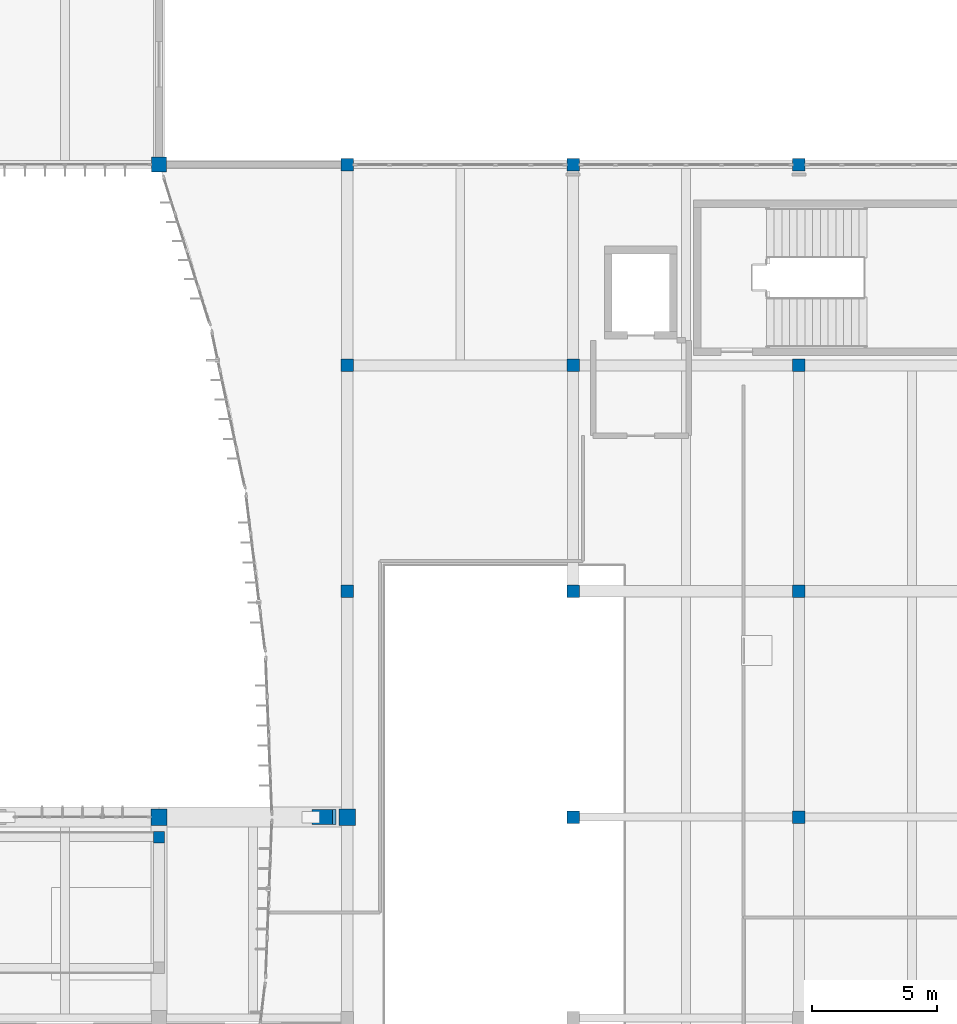
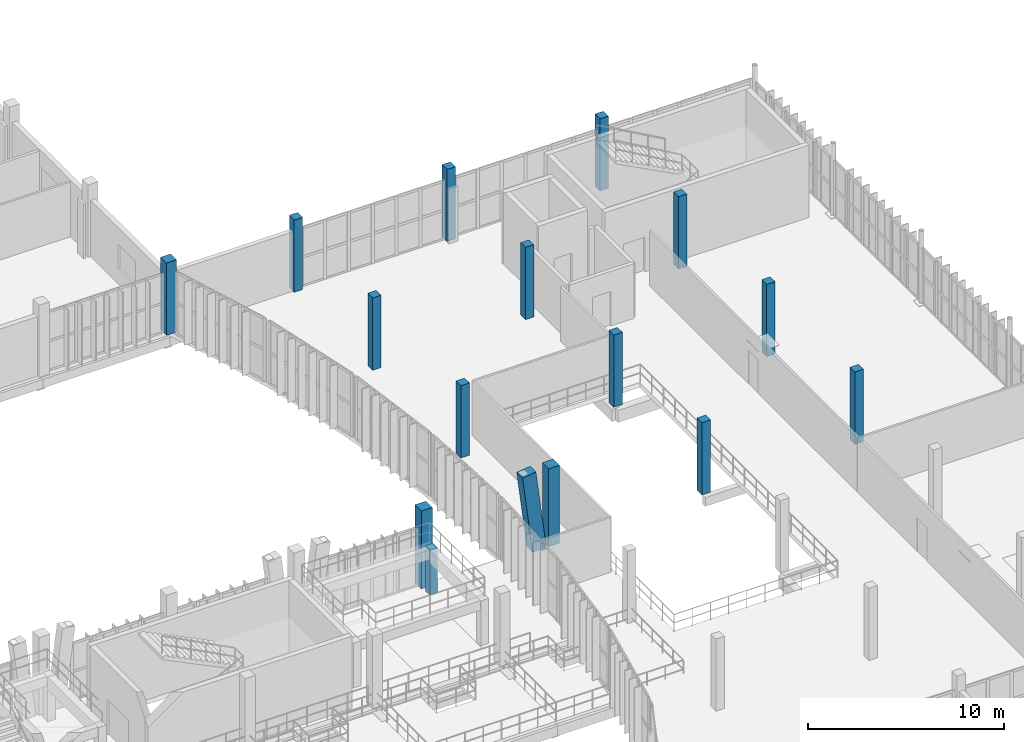
# One storey, part 5 of 81: 16 columns.
"""IFC4 building model written with IfcOpenShell, lengths in metres."""

from ifc_helpers import new_model, si_unit, direction, frame, origin, origin_2d, place, context, subcontext, project, spatial, rectangle, extrude, material, material_profile, profile_set, type_object, element, save


model = new_model("IFC4")

# Units and contexts
model_context = context("Model", 3, precision=1e-05, world=origin(), true_north=direction((0.0, 1.0)))
body_context = subcontext(model_context, "Body", "Model", "MODEL_VIEW")
ifc_project = project(units=[si_unit("LENGTHUNIT", "METRE"), si_unit("AREAUNIT", "SQUARE_METRE"), si_unit("VOLUMEUNIT", "CUBIC_METRE"), si_unit("PLANEANGLEUNIT", "RADIAN"), si_unit("MASSUNIT", "GRAM", prefix="KILO")], contexts=[model_context])

# Site, building, storey
site_placement = place(None, origin())
site = spatial("IfcSite", under=ifc_project, at=site_placement, CompositionType="ELEMENT")
building_placement = place(site_placement, origin())
building = spatial("IfcBuilding", under=site, at=building_placement, Name="Vourika Railside Aquatics Centre", CompositionType="ELEMENT")
storey_placement = place(building_placement, frame((0.0, 0.0, 4.800048828125)))
storey = spatial("IfcBuildingStorey", under=building, at=storey_placement, Name="L01", CompositionType="ELEMENT", Elevation=4.800048828125)

# Columns
ifc_material_1 = material(Name="Concrete C40/50", Category="concrete")
ifc_material_profile_1 = material_profile(ifc_material_1, rectangle(XDim=0.60009765625, YDim=0.800048828125, at=origin_2d()), Name="RC 600x800")
ifc_profile_set_1 = profile_set([ifc_material_profile_1], Name="Concrete C40/50")
column_type_1 = type_object("IfcColumnType", Name="COL-PIER-V", PredefinedType="USERDEFINED", material=ifc_profile_set_1)
column_1_placement = place(storey_placement, frame((140.14990234375, 66.0, 0.0), z_axis=(-0.122749528587, 0.0, 0.992437682291), x_axis=(0.0, -1.0, 0.0)))
element("IfcColumn", 1, at=column_1_placement, inside=storey, type_object=column_type_1, Name="V-Splayed Vault Pier 141/66-W", ObjectType="SPLAYED PIER", PredefinedType="USERDEFINED", context=body_context, shape_type="SweptSolid", body=[
    extrude(rectangle(XDim=0.60009765625, YDim=0.800048828125, at=origin_2d()), origin(), (0.0, 0.0, 1.0), 4.88671875),
])
ifc_material_2 = material(Name="Concrete C35/45", Category="concrete")
ifc_material_profile_2 = material_profile(ifc_material_2, rectangle(XDim=0.449951171875, YDim=0.449951171875, at=origin_2d()), Name="RC 450x450")
ifc_profile_set_2 = profile_set([ifc_material_profile_2], Name="Concrete C35/45")
column_type_2 = type_object("IfcColumnType", Name="COL-RC450", PredefinedType="COLUMN", material=ifc_profile_set_2)
column_2_placement = place(storey_placement, frame((133.5, 65.199951171875, 0.0), z_axis=(0.0, 0.0, 1.0), x_axis=(1.0, 0.0, 0.0)))
element("IfcColumn", 2, at=column_2_placement, inside=storey, type_object=column_type_2, Name="Upper Stand Rear Column 133.5", PredefinedType="COLUMN", context=body_context, shape_type="SweptSolid", body=[
    extrude(rectangle(XDim=0.449951171875, YDim=0.449951171875, at=origin_2d()), origin(), (0.0, 0.0, 1.0), 2.804931640625),
])
ifc_material_profile_3 = material_profile(ifc_material_2, rectangle(XDim=0.5, YDim=0.5, at=origin_2d()), Name="RC 500x500")
ifc_profile_set_3 = profile_set([ifc_material_profile_3], Name="Concrete C35/45")
column_type_3 = type_object("IfcColumnType", Name="COL-RC500", PredefinedType="COLUMN", material=ifc_profile_set_3)
for number, where, z_axis, x_axis, name in (
    (3, (141.0, 75.0, 0.0), (0.0, 0.0, 1.0), (1.0, 0.0, 0.0), "Column col:L01:1410_750"),
    (4, (141.0, 84.0, 0.0), (0.0, 0.0, 1.0), (1.0, 0.0, 0.0), "Column col:L01:1410_840"),
    (5, (141.0, 92.0, 0.0), (0.0, 0.0, 1.0), (1.0, 0.0, 0.0), "Column col:L01:1410_920"),
    (6, (150.0, 66.0, 0.0), (0.0, 0.0, 1.0), (1.0, 0.0, 0.0), "Column col:L01:1500_660"),
    (7, (150.0, 75.0, 0.0), (0.0, 0.0, 1.0), (1.0, 0.0, 0.0), "Column col:L01:1500_750"),
    (8, (150.0, 84.0, 0.0), (0.0, 0.0, 1.0), (1.0, 0.0, 0.0), "Column col:L01:1500_840"),
    (9, (150.0, 92.0, 0.0), (0.0, 0.0, 1.0), (1.0, 0.0, 0.0), "Column col:L01:1500_920"),
    (10, (159.0, 66.0, 0.0), (0.0, 0.0, 1.0), (1.0, 0.0, 0.0), "Column col:L01:1590_660"),
    (11, (159.0, 75.0, 0.0), (0.0, 0.0, 1.0), (1.0, 0.0, 0.0), "Column col:L01:1590_750"),
    (12, (159.0, 84.0, 0.0), (0.0, 0.0, 1.0), (1.0, 0.0, 0.0), "Column col:L01:1590_840"),
    (13, (159.0, 92.0, 0.0), (0.0, 0.0, 1.0), (1.0, 0.0, 0.0), "Column col:L01:1590_920"),
):
    element("IfcColumn", number, at=place(storey_placement, frame(where, z_axis=z_axis, x_axis=x_axis)), inside=storey, type_object=column_type_3, Name=name, PredefinedType="COLUMN", context=body_context, shape_type="SweptSolid", body=[
        extrude(rectangle(XDim=0.5, YDim=0.5, at=origin_2d()), origin(), (0.0, 0.0, 1.0), 4.5),
    ])
ifc_material_profile_4 = material_profile(ifc_material_1, rectangle(XDim=0.60009765625, YDim=0.60009765625, at=origin_2d()), Name="RC 600x600")
ifc_profile_set_4 = profile_set([ifc_material_profile_4], Name="Concrete C40/50")
column_type_4 = type_object("IfcColumnType", Name="COL-RC600", PredefinedType="COLUMN", material=ifc_profile_set_4)
column_3_placement = place(storey_placement, frame((133.5, 92.0, 0.0), z_axis=(0.0, 0.0, 1.0), x_axis=(1.0, 0.0, 0.0)))
element("IfcColumn", 14, at=column_3_placement, inside=storey, type_object=column_type_4, Name="Column col:L01:1335_920", PredefinedType="COLUMN", context=body_context, shape_type="SweptSolid", body=[
    extrude(rectangle(XDim=0.60009765625, YDim=0.60009765625, at=origin_2d()), origin(), (0.0, 0.0, 1.0), 4.5),
])
ifc_material_profile_5 = material_profile(ifc_material_1, rectangle(XDim=0.64990234375, YDim=0.64990234375, at=origin_2d()), Name="RC 650x650")
ifc_profile_set_5 = profile_set([ifc_material_profile_5], Name="Concrete C40/50")
column_type_5 = type_object("IfcColumnType", Name="COL-RC650", PredefinedType="COLUMN", material=ifc_profile_set_5)
for number, where, z_axis, x_axis, name in (
    (15, (133.5, 66.0, 0.0), (0.0, 0.0, 1.0), (1.0, 0.0, 0.0), "Column col:L01:1335_660"),
    (16, (141.0, 66.0, 0.0), (0.0, 0.0, 1.0), (1.0, 0.0, 0.0), "Column col:L01:1410_660"),
):
    element("IfcColumn", number, at=place(storey_placement, frame(where, z_axis=z_axis, x_axis=x_axis)), inside=storey, type_object=column_type_5, Name=name, PredefinedType="COLUMN", context=body_context, shape_type="SweptSolid", body=[
        extrude(rectangle(XDim=0.64990234375, YDim=0.64990234375, at=origin_2d()), origin(), (0.0, 0.0, 1.0), 4.849853515625),
    ])

save(model, "model.ifc")
